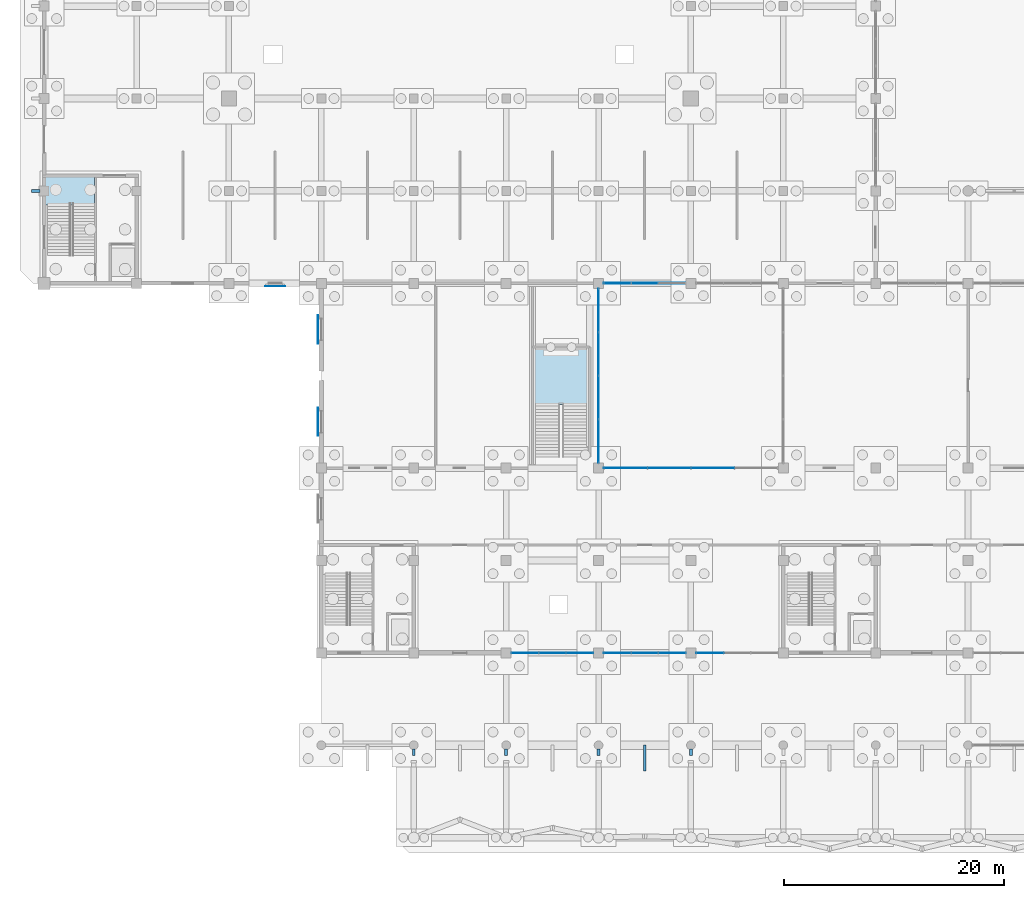
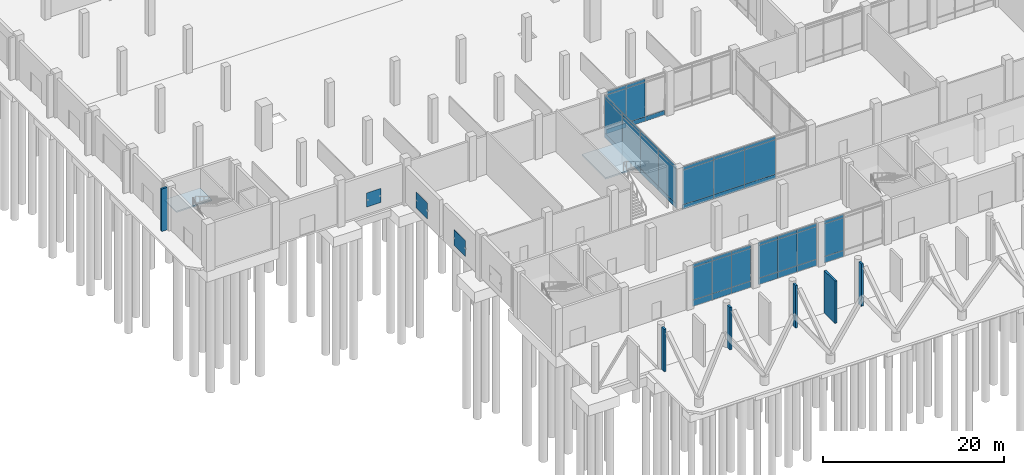
# One storey, part 37 of 72: 58 plates, 2 slabs, 8 elements without a shape of their own.
"""IFC4 building model written with IfcOpenShell, lengths in metres."""

import ifcopenshell
import ifcopenshell.guid

model = None  # the IFC model being written
_history = None  # IfcOwnerHistory: only IFC2X3 demands one
_inside = {}  # id of a spatial element -> (the spatial element, [elements in it])
_under = {}  # id of a project, library or spatial element -> (it, [spatial elements below it])
_declared = {}  # id of a project -> (the project, [libraries it declares])
_typed = {}  # id of a type object -> (the type object, [elements of that type])
_made_of = {}  # id of a material, layer set ... -> (it, [elements and type objects made of it])


def new_model(schema):
    """Start an empty IFC model of exactly this schema.

    Asked for "IFC4X3", IfcOpenShell would pick the latest addendum, in which some entities
    have other attributes; the version numbers below select the first issue.
    IFC2X3 requires an IfcOwnerHistory on every rooted entity: one is made here for all.
    """
    global model, _history
    if schema == "IFC4X3":
        model = ifcopenshell.file(schema_version=(4, 3, 0, 0))
    else:
        model = ifcopenshell.file(schema=schema)
    _inside.clear()
    _under.clear()
    _declared.clear()
    _typed.clear()
    _made_of.clear()
    _history = None
    if model.schema == "IFC2X3":
        org = make("IfcOrganization", Name="unknown")
        user = make(
            "IfcPersonAndOrganization",
            ThePerson=make("IfcPerson", FamilyName="unknown"),
            TheOrganization=org,
        )
        app = make(
            "IfcApplication",
            ApplicationDeveloper=org,
            Version="unknown",
            ApplicationFullName="unknown",
            ApplicationIdentifier="unknown",
        )
        _history = make(
            "IfcOwnerHistory",
            OwningUser=user,
            OwningApplication=app,
            ChangeAction="ADDED",
            CreationDate=0,
        )
    return model


def make(cls, **values):
    """One entity of the class cls with the attributes given. An attribute that is None is left unset."""
    return model.create_entity(
        cls, **{name: value for name, value in values.items() if value is not None}
    )


def rooted(cls, **values):
    """An entity with a GlobalId (a new one), such as an element, a storey or a relation."""
    return make(cls, GlobalId=ifcopenshell.guid.new(), OwnerHistory=_history, **values)


def si_unit(unit_type, name, prefix=None):
    """IfcSIUnit, for example si_unit("LENGTHUNIT", "METRE", prefix="MILLI")."""
    return make("IfcSIUnit", UnitType=unit_type, Prefix=prefix, Name=name)


def assignment(units):
    """IfcUnitAssignment: the units of a project."""
    return None if units is None else make("IfcUnitAssignment", Units=units)


def point(xyz):
    """IfcCartesianPoint."""
    return None if xyz is None else make("IfcCartesianPoint", Coordinates=xyz)


def direction(xyz):
    """IfcDirection."""
    return None if xyz is None else make("IfcDirection", DirectionRatios=xyz)


def frame(location, z_axis=None, x_axis=None):
    """IfcAxis2Placement3D, a coordinate frame: its origin and axes. An axis left out is left unset."""
    return make(
        "IfcAxis2Placement3D",
        Location=point(location),
        Axis=direction(z_axis),
        RefDirection=direction(x_axis),
    )


def frame_2d(location, x_axis=None):
    """IfcAxis2Placement2D, a coordinate frame in the plane: its origin and x axis."""
    return make(
        "IfcAxis2Placement2D", Location=point(location), RefDirection=direction(x_axis)
    )


def origin():
    """The frame at (0, 0, 0) with its axes left unset."""
    return frame((0.0, 0.0, 0.0))


def place(relative_to, where):
    """IfcLocalPlacement: puts the frame where relative to a parent placement (None: the world)."""
    return make(
        "IfcLocalPlacement", PlacementRelTo=relative_to, RelativePlacement=where
    )


def context(
    kind, dimensions, precision=None, world=None, true_north=None, identifier=None
):
    """IfcGeometricRepresentationContext, for example the 3D "Model" context."""
    return make(
        "IfcGeometricRepresentationContext",
        ContextIdentifier=identifier,
        ContextType=kind,
        CoordinateSpaceDimension=dimensions,
        Precision=precision,
        WorldCoordinateSystem=world,
        TrueNorth=true_north,
    )


def subcontext(parent, identifier, kind, view, scale=None):
    """IfcGeometricRepresentationSubContext, for example "Body" below "Model"."""
    return make(
        "IfcGeometricRepresentationSubContext",
        ContextIdentifier=identifier,
        ContextType=kind,
        ParentContext=parent,
        TargetScale=scale,
        TargetView=view,
    )


def project(units=None, contexts=None):
    """IfcProject with its units and contexts."""
    return rooted(
        "IfcProject",
        Name="project",
        RepresentationContexts=contexts,
        UnitsInContext=assignment(units),
    )


def spatial(cls, under=None, at=None, **own):
    """A site, building, storey or space (cls), placed at a placement, below another one or the project."""
    s = rooted(cls, ObjectPlacement=at, **own)
    if under is not None:
        _under.setdefault(under.id(), (under, []))[1].append(s)
    return s


def polyline(points):
    """IfcPolyline through the points."""
    return make("IfcPolyline", Points=[point(p) for p in points])


def profile(cls, at=None, kind="AREA", **sizes):
    """A parametric profile (cls). Its sizes go by their IFC names, for example OverallWidth=200.0."""
    return make(cls, ProfileType=kind, Position=at, **sizes)


def rectangle(**sizes):
    """IfcRectangleProfileDef."""
    return profile("IfcRectangleProfileDef", **sizes)


def outline(outer, holes=None, kind="AREA"):
    """IfcArbitraryClosedProfileDef: a profile drawn as a closed curve; with holes, ...WithVoids."""
    if holes is None:
        return make("IfcArbitraryClosedProfileDef", ProfileType=kind, OuterCurve=outer)
    return make(
        "IfcArbitraryProfileDefWithVoids",
        ProfileType=kind,
        OuterCurve=outer,
        InnerCurves=holes,
    )


def extrude(swept, where, along, depth):
    """IfcExtrudedAreaSolid: the profile swept, set in the frame where, extruded along a direction by depth."""
    return make(
        "IfcExtrudedAreaSolid",
        SweptArea=swept,
        Position=where,
        ExtrudedDirection=direction(along),
        Depth=depth,
    )


def shape(context_of_items, identifier, shape_type, items):
    """IfcShapeRepresentation: the items that make up one representation, for example the "Body"."""
    return make(
        "IfcShapeRepresentation",
        ContextOfItems=context_of_items,
        RepresentationIdentifier=identifier,
        RepresentationType=shape_type,
        Items=items,
    )


def material(Name=None, Category=None):
    """IfcMaterial."""
    return make("IfcMaterial", Name=Name, Category=Category)


def layer(
    of_material, thickness, ventilated=None, Name=None, Category=None, Priority=None
):
    """IfcMaterialLayer: one layer of a wall or slab, of a material (None: an air gap)."""
    return make(
        "IfcMaterialLayer",
        Material=of_material,
        LayerThickness=thickness,
        IsVentilated=ventilated,
        Name=Name,
        Category=Category,
        Priority=Priority,
    )


def layer_set(layers, Name=None):
    """IfcMaterialLayerSet."""
    return make("IfcMaterialLayerSet", MaterialLayers=layers, LayerSetName=Name)


def made_of(thing, what):
    """Note that an element or type object is made of a material, layer set ...; save() writes the relation."""
    if what is not None:
        _made_of.setdefault(what.id(), (what, []))[1].append(thing)
    return thing


def type_object(cls, material=None, **own):
    """A type object (cls), such as IfcWallType, which elements share."""
    return made_of(rooted(cls, **own), material)


def element(
    cls,
    number,
    at=None,
    inside=None,
    cuts=None,
    type_object=None,
    material=None,
    context=None,
    identifier="Body",
    shape_type=None,
    held_by="IfcProductDefinitionShape",
    body=None,
    shapes=None,
    **own,
):
    """One element of the class cls, such as IfcWall. Its Tag is "e" and its number.

    at: its placement. inside: the storey or other place that contains it. cuts: it is an
    opening in that element (IfcRelVoidsElement). A single representation is given by context,
    identifier, shape_type and body (its items); several are given by shapes. held_by: the class
    of the entity that holds the representations. save() writes the other relations.
    """
    e = rooted(cls, Tag="e%d" % number, ObjectPlacement=at, **own)
    if body is not None:
        shapes = [shape(context, identifier, shape_type, body)]
    if shapes is not None:
        e.Representation = make(held_by, Representations=shapes)
    if inside is not None:
        _inside.setdefault(inside.id(), (inside, []))[1].append(e)
    if cuts is not None:
        rooted(
            "IfcRelVoidsElement", RelatingBuildingElement=cuts, RelatedOpeningElement=e
        )
    if type_object is not None:
        _typed.setdefault(type_object.id(), (type_object, []))[1].append(e)
    return made_of(e, material)


def aggregate(whole, parts):
    """IfcRelAggregates: a whole, such as a stair, and the parts it consists of."""
    return rooted("IfcRelAggregates", RelatingObject=whole, RelatedObjects=parts)


def save(model, path):
    """Write the relations noted so far, then the file.

    IfcRelAggregates (storeys below a building ...), IfcRelContainedInSpatialStructure (elements
    in a storey), IfcRelDefinesByType, IfcRelAssociatesMaterial and IfcRelDeclares: one each for
    every whole, place, type object, material and project.
    """
    for whole, parts in _under.values():
        aggregate(whole, parts)
    for where, things in _inside.values():
        rooted(
            "IfcRelContainedInSpatialStructure",
            RelatedElements=things,
            RelatingStructure=where,
        )
    for kind, things in _typed.values():
        rooted("IfcRelDefinesByType", RelatedObjects=things, RelatingType=kind)
    for what, things in _made_of.values():
        rooted("IfcRelAssociatesMaterial", RelatedObjects=things, RelatingMaterial=what)
    for by, libraries in _declared.values():
        rooted("IfcRelDeclares", RelatingContext=by, RelatedDefinitions=libraries)
    model.write(path)


model = new_model("IFC4")

# Units and contexts
model_context = context("Model", 3, precision=1e-05, world=origin(), true_north=direction((0.0, 1.0)))
body_context = subcontext(model_context, "Body", "Model", "MODEL_VIEW")
ifc_project = project(units=[si_unit("LENGTHUNIT", "METRE"), si_unit("AREAUNIT", "SQUARE_METRE"), si_unit("VOLUMEUNIT", "CUBIC_METRE"), si_unit("PLANEANGLEUNIT", "RADIAN"), si_unit("MASSUNIT", "GRAM", prefix="KILO")], contexts=[model_context])

# Site, building, storey
site_placement = place(None, origin())
site = spatial("IfcSite", under=ifc_project, at=site_placement, CompositionType="ELEMENT")
building_placement = place(site_placement, origin())
building = spatial("IfcBuilding", under=site, at=building_placement, Name="Qawsi Khor Wholesale Market", CompositionType="ELEMENT")
storey_placement = place(building_placement, origin())
storey = spatial("IfcBuildingStorey", under=building, at=storey_placement, Name="L00", CompositionType="ELEMENT", Elevation=0.0)

# Stair, slab
ifc_material_1 = material(Name="Concrete C40/50", Category="concrete")
stair_type_1 = type_object("IfcStairType", Name="Atrium Feature Stair 6000 Rise", PredefinedType="HALF_TURN_STAIR", material=ifc_material_1)
stair_1_placement = place(storey_placement, origin())
stair_1 = element("IfcStair", 1, at=stair_1_placement, inside=storey, type_object=stair_type_1, Name="Atrium feature stair W L00", PredefinedType="HALF_TURN_STAIR")
ifc_layer_1 = layer(ifc_material_1, 0.199951171875, Name="Concrete C40/50")
ifc_layer_set_1 = layer_set([ifc_layer_1], Name="Concrete C40/50")
slab_type_1 = type_object("IfcSlabType", Name="Atrium Feature Landing Slab 200 C40/50", PredefinedType="LANDING", material=ifc_layer_set_1)
slab_1_placement = place(storey_placement, frame((0.0, 0.0, 2.800048828125)))
slab_1 = element("IfcSlab", 2, at=slab_1_placement, type_object=slab_type_1, Name="ST-AW-0 landing 1", PredefinedType="LANDING", context=body_context, shape_type="SweptSolid", body=[
    extrude(outline(polyline([(44.419921875, 30.969970703125), (49.580078125, 30.969970703125), (49.580078125, 36.219970703125), (44.419921875, 36.219970703125), (44.419921875, 30.969970703125)])), origin(), (0.0, 0.0, 1.0), 0.199951171875),
])
aggregate(stair_1, [slab_1])

# Curtain wall, plates
ifc_material_2 = material(Name="Aluminium Anodised Bronze", Category="aluminium")
ifc_layer_2 = layer(ifc_material_2, 0.159912109375, Name="Aluminium Anodised Bronze")
ifc_layer_set_2 = layer_set([ifc_layer_2], Name="Aluminium Anodised Bronze")
curtain_wall_type_1 = type_object("IfcCurtainWallType", Name="Boulevard Arcade Glazed Curtain Wall CW-01", PredefinedType="NOTDEFINED", material=ifc_layer_set_2)
curtain_wall_1_placement = place(storey_placement, origin())
curtain_wall_1 = element("IfcCurtainWall", 3, at=curtain_wall_1_placement, inside=storey, type_object=curtain_wall_type_1, Name="Curtain wall CW-CW-01-L00-001", PredefinedType="NOTDEFINED")
ifc_material_3 = material(Name="Anodised Aluminium Spandrel", Category="aluminium")
ifc_layer_3 = layer(ifc_material_3, 0.054931640625, Name="Anodised Aluminium Spandrel")
ifc_layer_set_3 = layer_set([ifc_layer_3], Name="Anodised Aluminium Spandrel")
plate_type_1 = type_object("IfcPlateType", Name="Insulated Spandrel Panel CW-01 55mm", PredefinedType="CURTAIN_PANEL", material=ifc_layer_set_3)
plate_1_placement = place(storey_placement, frame((42.492431640625, 8.39990234375, 0.0048828125), z_axis=(0.0, 0.0, 1.0), x_axis=(1.0, 0.0, 0.0)))
plate_1 = element("IfcPlate", 4, at=plate_1_placement, type_object=plate_type_1, Name="Curtain panel CW-CW-01-L00-001-P0_00", PredefinedType="CURTAIN_PANEL", context=body_context, shape_type="SweptSolid", body=[
    extrude(rectangle(XDim=2.4716796875, YDim=0.054931640625, at=frame_2d((1.23583984375, 0.0))), origin(), (0.0, 0.0, 1.0), 0.840087890625),
])
plate_2_placement = place(storey_placement, frame((44.964111328125, 8.39990234375, 0.0048828125), z_axis=(0.0, 0.0, 1.0), x_axis=(1.0, 0.0, 0.0)))
plate_2 = element("IfcPlate", 5, at=plate_2_placement, type_object=plate_type_1, Name="Curtain panel CW-CW-01-L00-001-P0_01", PredefinedType="CURTAIN_PANEL", context=body_context, shape_type="SweptSolid", body=[
    extrude(rectangle(XDim=2.4716796875, YDim=0.054931640625, at=frame_2d((1.23583984375, 0.0))), origin(), (0.0, 0.0, 1.0), 0.840087890625),
])
plate_3_placement = place(storey_placement, frame((47.435791015625, 8.39990234375, 0.0048828125), z_axis=(0.0, 0.0, 1.0), x_axis=(1.0, 0.0, 0.0)))
plate_3 = element("IfcPlate", 6, at=plate_3_placement, type_object=plate_type_1, Name="Curtain panel CW-CW-01-L00-001-P0_02", PredefinedType="CURTAIN_PANEL", context=body_context, shape_type="SweptSolid", body=[
    extrude(rectangle(XDim=2.4716796875, YDim=0.054931640625, at=frame_2d((1.23583984375, 0.0))), origin(), (0.0, 0.0, 1.0), 0.840087890625),
])

curtain_wall_2_placement = place(storey_placement, origin())
curtain_wall_2 = element("IfcCurtainWall", 7, at=curtain_wall_2_placement, inside=storey, type_object=curtain_wall_type_1, Name="Curtain wall CW-CW-01-L00-002", PredefinedType="NOTDEFINED")
plate_4_placement = place(storey_placement, frame((50.892578125, 8.39990234375, 0.0048828125), z_axis=(0.0, 0.0, 1.0), x_axis=(1.0, 0.0, 0.0)))
plate_4 = element("IfcPlate", 8, at=plate_4_placement, type_object=plate_type_1, Name="Curtain panel CW-CW-01-L00-002-P0_00", PredefinedType="CURTAIN_PANEL", context=body_context, shape_type="SweptSolid", body=[
    extrude(rectangle(XDim=2.4716796875, YDim=0.054931640625, at=frame_2d((1.23583984375, 0.0))), origin(), (0.0, 0.0, 1.0), 0.840087890625),
])
plate_5_placement = place(storey_placement, frame((53.3642578125, 8.39990234375, 0.0048828125), z_axis=(0.0, 0.0, 1.0), x_axis=(1.0, 0.0, 0.0)))
plate_5 = element("IfcPlate", 9, at=plate_5_placement, type_object=plate_type_1, Name="Curtain panel CW-CW-01-L00-002-P0_01", PredefinedType="CURTAIN_PANEL", context=body_context, shape_type="SweptSolid", body=[
    extrude(rectangle(XDim=2.471435546875, YDim=0.054931640625, at=frame_2d((1.23583984375, 0.0))), origin(), (0.0, 0.0, 1.0), 0.840087890625),
])
plate_6_placement = place(storey_placement, frame((55.835693359375, 8.39990234375, 0.0048828125), z_axis=(0.0, 0.0, 1.0), x_axis=(1.0, 0.0, 0.0)))
plate_6 = element("IfcPlate", 10, at=plate_6_placement, type_object=plate_type_1, Name="Curtain panel CW-CW-01-L00-002-P0_02", PredefinedType="CURTAIN_PANEL", context=body_context, shape_type="SweptSolid", body=[
    extrude(rectangle(XDim=2.471923828125, YDim=0.054931640625, at=frame_2d((1.23583984375, 0.0))), origin(), (0.0, 0.0, 1.0), 0.840087890625),
])

# Curtain wall, plate
curtain_wall_3_placement = place(storey_placement, origin())
curtain_wall_3 = element("IfcCurtainWall", 11, at=curtain_wall_3_placement, inside=storey, type_object=curtain_wall_type_1, Name="Curtain wall CW-CW-01-L00-003", PredefinedType="NOTDEFINED")
plate_7_placement = place(storey_placement, frame((59.29248046875, 8.39990234375, 0.0048828125), z_axis=(0.0, 0.0, 1.0), x_axis=(1.0, 0.0, 0.0)))
plate_7 = element("IfcPlate", 12, at=plate_7_placement, type_object=plate_type_1, Name="Curtain panel CW-CW-01-L00-003-P0_00", PredefinedType="CURTAIN_PANEL", context=body_context, shape_type="SweptSolid", body=[
    extrude(rectangle(XDim=2.4716796875, YDim=0.054931640625, at=frame_2d((1.23583984375, 0.0))), origin(), (0.0, 0.0, 1.0), 0.840087890625),
])

# Curtain wall, plates
ifc_layer_4 = layer(ifc_material_2, 0.179931640625, Name="Aluminium Anodised Bronze")
ifc_layer_set_4 = layer_set([ifc_layer_4], Name="Aluminium Anodised Bronze")
curtain_wall_type_2 = type_object("IfcCurtainWallType", Name="Atrium Full-Height Curtain Wall CW-02", PredefinedType="NOTDEFINED", material=ifc_layer_set_4)
curtain_wall_4_placement = place(storey_placement, origin())
curtain_wall_4 = element("IfcCurtainWall", 13, at=curtain_wall_4_placement, inside=storey, type_object=curtain_wall_type_2, Name="Curtain wall CW-CW-02-L00-011", PredefinedType="NOTDEFINED")
ifc_layer_5 = layer(ifc_material_3, 0.06494140625, Name="Anodised Aluminium Spandrel")
ifc_layer_set_5 = layer_set([ifc_layer_5], Name="Anodised Aluminium Spandrel")
plate_type_2 = type_object("IfcPlateType", Name="Insulated Spandrel Panel CW-02 65mm", PredefinedType="CURTAIN_PANEL", material=ifc_layer_set_5)
plate_8_placement = place(storey_placement, frame((50.89501953125, 25.199951171875, 0.0048828125), z_axis=(0.0, 0.0, 1.0), x_axis=(1.0, 0.0, 0.0)))
plate_8 = element("IfcPlate", 14, at=plate_8_placement, type_object=plate_type_2, Name="Curtain panel CW-CW-02-L00-011-P0_00", PredefinedType="CURTAIN_PANEL", context=body_context, shape_type="SweptSolid", body=[
    extrude(rectangle(XDim=3.952392578125, YDim=0.06494140625, at=frame_2d((1.97607421875, 0.0))), origin(), (0.0, 0.0, 1.0), 0.590087890625),
])
plate_9_placement = place(storey_placement, frame((54.847412109375, 25.199951171875, 0.0048828125), z_axis=(0.0, 0.0, 1.0), x_axis=(1.0, 0.0, 0.0)))
plate_9 = element("IfcPlate", 15, at=plate_9_placement, type_object=plate_type_2, Name="Curtain panel CW-CW-02-L00-011-P0_01", PredefinedType="CURTAIN_PANEL", context=body_context, shape_type="SweptSolid", body=[
    extrude(rectangle(XDim=3.95263671875, YDim=0.06494140625, at=frame_2d((1.976318359375, 0.0))), origin(), (0.0, 0.0, 1.0), 0.590087890625),
])
plate_10_placement = place(storey_placement, frame((58.800048828125, 25.199951171875, 0.0048828125), z_axis=(0.0, 0.0, 1.0), x_axis=(1.0, 0.0, 0.0)))
plate_10 = element("IfcPlate", 16, at=plate_10_placement, type_object=plate_type_2, Name="Curtain panel CW-CW-02-L00-011-P0_02", PredefinedType="CURTAIN_PANEL", context=body_context, shape_type="SweptSolid", body=[
    extrude(rectangle(XDim=3.952392578125, YDim=0.06494140625, at=frame_2d((1.97607421875, 0.0))), origin(), (0.0, 0.0, 1.0), 0.590087890625),
])

curtain_wall_5_placement = place(storey_placement, origin())
curtain_wall_5 = element("IfcCurtainWall", 17, at=curtain_wall_5_placement, inside=storey, type_object=curtain_wall_type_2, Name="Curtain wall CW-CW-02-L00-012", PredefinedType="NOTDEFINED")
plate_11_placement = place(storey_placement, frame((50.89501953125, 42.0, 0.0048828125), z_axis=(0.0, 0.0, 1.0), x_axis=(1.0, 0.0, 0.0)))
plate_11 = element("IfcPlate", 18, at=plate_11_placement, type_object=plate_type_2, Name="Curtain panel CW-CW-02-L00-012-P0_00", PredefinedType="CURTAIN_PANEL", context=body_context, shape_type="SweptSolid", body=[
    extrude(rectangle(XDim=2.469970703125, YDim=0.06494140625, at=frame_2d((1.23486328125, 0.0))), origin(), (0.0, 0.0, 1.0), 0.590087890625),
])
plate_12_placement = place(storey_placement, frame((53.364990234375, 42.0, 0.0048828125), z_axis=(0.0, 0.0, 1.0), x_axis=(1.0, 0.0, 0.0)))
plate_12 = element("IfcPlate", 19, at=plate_12_placement, type_object=plate_type_2, Name="Curtain panel CW-CW-02-L00-012-P0_01", PredefinedType="CURTAIN_PANEL", context=body_context, shape_type="SweptSolid", body=[
    extrude(rectangle(XDim=2.469970703125, YDim=0.06494140625, at=frame_2d((1.23486328125, 0.0))), origin(), (0.0, 0.0, 1.0), 0.590087890625),
])
plate_13_placement = place(storey_placement, frame((55.8349609375, 42.0, 0.0048828125), z_axis=(0.0, 0.0, 1.0), x_axis=(1.0, 0.0, 0.0)))
plate_13 = element("IfcPlate", 20, at=plate_13_placement, type_object=plate_type_2, Name="Curtain panel CW-CW-02-L00-012-P0_02", PredefinedType="CURTAIN_PANEL", context=body_context, shape_type="SweptSolid", body=[
    extrude(rectangle(XDim=2.469970703125, YDim=0.06494140625, at=frame_2d((1.23486328125, 0.0))), origin(), (0.0, 0.0, 1.0), 0.590087890625),
])

curtain_wall_6_placement = place(storey_placement, origin())
curtain_wall_6 = element("IfcCurtainWall", 21, at=curtain_wall_6_placement, inside=storey, type_object=curtain_wall_type_2, Name="Curtain wall CW-CW-02-L00-014", PredefinedType="NOTDEFINED")
plate_14_placement = place(storey_placement, frame((50.39990234375, 25.695068359375, 0.0048828125), z_axis=(0.0, 0.0, 1.0), x_axis=(0.0, 1.0, 0.0)))
plate_14 = element("IfcPlate", 22, at=plate_14_placement, type_object=plate_type_2, Name="Curtain panel CW-CW-02-L00-014-P0_00", PredefinedType="CURTAIN_PANEL", context=body_context, shape_type="SweptSolid", body=[
    extrude(rectangle(XDim=3.952392578125, YDim=0.06494140625, at=frame_2d((1.97607421875, 0.0))), origin(), (0.0, 0.0, 1.0), 0.590087890625),
])
plate_15_placement = place(storey_placement, frame((50.39990234375, 29.6474609375, 0.0048828125), z_axis=(0.0, 0.0, 1.0), x_axis=(0.0, 1.0, 0.0)))
plate_15 = element("IfcPlate", 23, at=plate_15_placement, type_object=plate_type_2, Name="Curtain panel CW-CW-02-L00-014-P0_01", PredefinedType="CURTAIN_PANEL", context=body_context, shape_type="SweptSolid", body=[
    extrude(rectangle(XDim=3.95263671875, YDim=0.06494140625, at=frame_2d((1.976318359375, 0.0))), origin(), (0.0, 0.0, 1.0), 0.590087890625),
])
plate_16_placement = place(storey_placement, frame((50.39990234375, 33.60009765625, 0.0048828125), z_axis=(0.0, 0.0, 1.0), x_axis=(0.0, 1.0, 0.0)))
plate_16 = element("IfcPlate", 24, at=plate_16_placement, type_object=plate_type_2, Name="Curtain panel CW-CW-02-L00-014-P0_02", PredefinedType="CURTAIN_PANEL", context=body_context, shape_type="SweptSolid", body=[
    extrude(rectangle(XDim=3.952392578125, YDim=0.06494140625, at=frame_2d((1.97607421875, 0.0))), origin(), (0.0, 0.0, 1.0), 0.590087890625),
])
plate_17_placement = place(storey_placement, frame((50.39990234375, 37.552490234375, 0.0048828125), z_axis=(0.0, 0.0, 1.0), x_axis=(0.0, 1.0, 0.0)))
plate_17 = element("IfcPlate", 25, at=plate_17_placement, type_object=plate_type_2, Name="Curtain panel CW-CW-02-L00-014-P0_03", PredefinedType="CURTAIN_PANEL", context=body_context, shape_type="SweptSolid", body=[
    extrude(rectangle(XDim=3.952392578125, YDim=0.06494140625, at=frame_2d((1.97607421875, 0.0))), origin(), (0.0, 0.0, 1.0), 0.590087890625),
])

# Plates
ifc_material_4 = material(Name="Perforated Bronze-Anodised Aluminium", Category="aluminium")
ifc_layer_6 = layer(ifc_material_4, 0.014892578125, Name="Perforated Bronze-Anodised Aluminium")
ifc_layer_set_6 = layer_set([ifc_layer_6], Name="Perforated Bronze-Anodised Aluminium")
plate_type_3 = type_object("IfcPlateType", Name="Perforated Bronze Mashrabiya Screen 15mm", PredefinedType="SHEET", material=ifc_layer_set_6)
plate_18_placement = place(storey_placement, frame((21.89990234375, 41.72509765625, 1.050048828125), z_axis=(0.0, 0.0, 1.0), x_axis=(-1.0, 0.0, 0.0)))
element("IfcPlate", 26, at=plate_18_placement, inside=storey, type_object=plate_type_3, Name="Solar mashrabiya screen 068", PredefinedType="SHEET", context=body_context, shape_type="SweptSolid", body=[
    extrude(rectangle(XDim=1.7998046875, YDim=0.014892578125, at=frame_2d((0.89990234375, 0.0))), origin(), (0.0, 0.0, 1.0), 1.89990234375),
])
ifc_layer_7 = layer(ifc_material_4, 0.02001953125, Name="Perforated Bronze-Anodised Aluminium")
ifc_layer_set_7 = layer_set([ifc_layer_7], Name="Perforated Bronze-Anodised Aluminium")
plate_type_4 = type_object("IfcPlateType", Name="Perforated Bronze Mashrabiya Screen 20mm", PredefinedType="SHEET", material=ifc_layer_set_7)
for number, where, z_axis, x_axis, name in (
    (27, (24.885009765625, 28.125, 0.89990234375), (0.0, 0.0, 1.0), (0.0, 1.0, 0.0), "Solar mashrabiya screen 054"),
    (28, (24.885009765625, 36.52490234375, 0.89990234375), (0.0, 0.0, 1.0), (0.0, 1.0, 0.0), "Solar mashrabiya screen 055"),
):
    element("IfcPlate", number, at=place(storey_placement, frame(where, z_axis=z_axis, x_axis=x_axis)), inside=storey, type_object=plate_type_4, Name=name, PredefinedType="SHEET", context=body_context, shape_type="SweptSolid", body=[
        extrude(rectangle(XDim=2.550048828125, YDim=0.02001953125, at=frame_2d((1.27490234375, 0.0))), origin(), (0.0, 0.0, 1.0), 2.150146484375),
    ])
ifc_layer_8 = layer(ifc_material_1, 0.260009765625, Name="Concrete C40/50")
ifc_layer_set_8 = layer_set([ifc_layer_8], Name="Concrete C40/50")
plate_type_5 = type_object("IfcPlateType", Name="Sculpted Concrete Solar Buttress Fin 260", PredefinedType="SHEET", material=ifc_layer_set_8)
for number, where, z_axis, x_axis, name in (
    (29, (33.60009765625, -0.949951171875, 0.0), (0.0, 0.0, 1.0), (0.0, 1.0, 0.0), "Boulevard concrete solar buttress fin L00-02"),
    (30, (42.0, -0.949951171875, 0.0), (0.0, 0.0, 1.0), (0.0, 1.0, 0.0), "Boulevard concrete solar buttress fin L00-04"),
    (31, (50.39990234375, -0.949951171875, 0.0), (0.0, 0.0, 1.0), (0.0, 1.0, 0.0), "Boulevard concrete solar buttress fin L00-06"),
):
    element("IfcPlate", number, at=place(storey_placement, frame(where, z_axis=z_axis, x_axis=x_axis)), inside=storey, type_object=plate_type_5, Name=name, PredefinedType="SHEET", context=body_context, shape_type="SweptSolid", body=[
        extrude(rectangle(XDim=0.58984375, YDim=0.260009765625, at=frame_2d((0.294921875, 0.0))), origin(), (0.0, 0.0, 1.0), 5.719970703125),
    ])
plate_19_placement = place(storey_placement, frame((54.60009765625, -2.35009765625, 0.0), z_axis=(0.0, 0.0, 1.0), x_axis=(0.0, 1.0, 0.0)))
element("IfcPlate", 32, at=plate_19_placement, inside=storey, type_object=plate_type_5, Name="Boulevard concrete solar buttress fin L00-07", PredefinedType="SHEET", context=body_context, shape_type="SweptSolid", body=[
    extrude(rectangle(XDim=2.3701171875, YDim=0.260009765625, at=frame_2d((1.18505859375, 0.0))), origin(), (0.0, 0.0, 1.0), 5.719970703125),
])
plate_20_placement = place(storey_placement, frame((58.800048828125, -0.949951171875, 0.0), z_axis=(0.0, 0.0, 1.0), x_axis=(0.0, 1.0, 0.0)))
element("IfcPlate", 33, at=plate_20_placement, inside=storey, type_object=plate_type_5, Name="Boulevard concrete solar buttress fin L00-08", PredefinedType="SHEET", context=body_context, shape_type="SweptSolid", body=[
    extrude(rectangle(XDim=0.58984375, YDim=0.260009765625, at=frame_2d((0.294921875, 0.0))), origin(), (0.0, 0.0, 1.0), 5.719970703125),
])
plate_21_placement = place(storey_placement, frame((-1.14990234375, 50.39990234375, 0.0), z_axis=(0.0, 0.0, 1.0), x_axis=(1.0, 0.0, 0.0)))
element("IfcPlate", 34, at=plate_21_placement, inside=storey, type_object=plate_type_5, Name="West Hall Concrete Buttress Rib L00-6", PredefinedType="SHEET", context=body_context, shape_type="SweptSolid", body=[
    extrude(rectangle(XDim=0.760009765625, YDim=0.260009765625, at=frame_2d((0.3798828125, 0.0))), origin(), (0.0, 0.0, 1.0), 5.72998046875),
])

# Plate
ifc_material_5 = material(Name="Tempered Low-E Solar Glass", Category="glass")
ifc_layer_9 = layer(ifc_material_5, 0.02392578125, Name="Tempered Low-E Solar Glass")
ifc_layer_set_9 = layer_set([ifc_layer_9], Name="Tempered Low-E Solar Glass")
plate_type_6 = type_object("IfcPlateType", Name="Solar Double-Glazed Unit CW-01 24mm", PredefinedType="CURTAIN_PANEL", material=ifc_layer_set_9)
plate_22_placement = place(storey_placement, frame((42.492431640625, 8.39990234375, 0.85498046875), z_axis=(0.0, 0.0, 1.0), x_axis=(1.0, 0.0, 0.0)))
plate_22 = element("IfcPlate", 35, at=plate_22_placement, type_object=plate_type_6, Name="Curtain panel CW-CW-01-L00-001-P1_00", PredefinedType="CURTAIN_PANEL", context=body_context, shape_type="SweptSolid", body=[
    extrude(rectangle(XDim=2.4716796875, YDim=0.02392578125, at=frame_2d((1.23583984375, 0.0))), origin(), (0.0, 0.0, 1.0), 4.409912109375),
])

plate_23_placement = place(storey_placement, frame((44.964111328125, 8.39990234375, 0.85498046875), z_axis=(0.0, 0.0, 1.0), x_axis=(1.0, 0.0, 0.0)))
plate_23 = element("IfcPlate", 36, at=plate_23_placement, type_object=plate_type_6, Name="Curtain panel CW-CW-01-L00-001-P1_01", PredefinedType="CURTAIN_PANEL", context=body_context, shape_type="SweptSolid", body=[
    extrude(rectangle(XDim=2.4716796875, YDim=0.02392578125, at=frame_2d((1.23583984375, 0.0))), origin(), (0.0, 0.0, 1.0), 4.409912109375),
])

plate_24_placement = place(storey_placement, frame((47.435791015625, 8.39990234375, 0.85498046875), z_axis=(0.0, 0.0, 1.0), x_axis=(1.0, 0.0, 0.0)))
plate_24 = element("IfcPlate", 37, at=plate_24_placement, type_object=plate_type_6, Name="Curtain panel CW-CW-01-L00-001-P1_02", PredefinedType="CURTAIN_PANEL", context=body_context, shape_type="SweptSolid", body=[
    extrude(rectangle(XDim=2.4716796875, YDim=0.02392578125, at=frame_2d((1.23583984375, 0.0))), origin(), (0.0, 0.0, 1.0), 4.409912109375),
])

plate_25_placement = place(storey_placement, frame((42.492431640625, 8.39990234375, 5.27490234375), z_axis=(0.0, 0.0, 1.0), x_axis=(1.0, 0.0, 0.0)))
plate_25 = element("IfcPlate", 38, at=plate_25_placement, type_object=plate_type_6, Name="Curtain panel CW-CW-01-L00-001-P2_00", PredefinedType="CURTAIN_PANEL", context=body_context, shape_type="SweptSolid", body=[
    extrude(rectangle(XDim=2.4716796875, YDim=0.02392578125, at=frame_2d((1.23583984375, 0.0))), origin(), (0.0, 0.0, 1.0), 0.440185546875),
])

plate_26_placement = place(storey_placement, frame((44.964111328125, 8.39990234375, 5.27490234375), z_axis=(0.0, 0.0, 1.0), x_axis=(1.0, 0.0, 0.0)))
plate_26 = element("IfcPlate", 39, at=plate_26_placement, type_object=plate_type_6, Name="Curtain panel CW-CW-01-L00-001-P2_01", PredefinedType="CURTAIN_PANEL", context=body_context, shape_type="SweptSolid", body=[
    extrude(rectangle(XDim=2.4716796875, YDim=0.02392578125, at=frame_2d((1.23583984375, 0.0))), origin(), (0.0, 0.0, 1.0), 0.440185546875),
])

plate_27_placement = place(storey_placement, frame((47.435791015625, 8.39990234375, 5.27490234375), z_axis=(0.0, 0.0, 1.0), x_axis=(1.0, 0.0, 0.0)))
plate_27 = element("IfcPlate", 40, at=plate_27_placement, type_object=plate_type_6, Name="Curtain panel CW-CW-01-L00-001-P2_02", PredefinedType="CURTAIN_PANEL", context=body_context, shape_type="SweptSolid", body=[
    extrude(rectangle(XDim=2.4716796875, YDim=0.02392578125, at=frame_2d((1.23583984375, 0.0))), origin(), (0.0, 0.0, 1.0), 0.440185546875),
])

aggregate(curtain_wall_1, [plate_1, plate_2, plate_3, plate_22, plate_23, plate_24, plate_25, plate_26, plate_27])

plate_28_placement = place(storey_placement, frame((50.892578125, 8.39990234375, 0.85498046875), z_axis=(0.0, 0.0, 1.0), x_axis=(1.0, 0.0, 0.0)))
plate_28 = element("IfcPlate", 41, at=plate_28_placement, type_object=plate_type_6, Name="Curtain panel CW-CW-01-L00-002-P1_00", PredefinedType="CURTAIN_PANEL", context=body_context, shape_type="SweptSolid", body=[
    extrude(rectangle(XDim=2.4716796875, YDim=0.02392578125, at=frame_2d((1.23583984375, 0.0))), origin(), (0.0, 0.0, 1.0), 4.409912109375),
])

plate_29_placement = place(storey_placement, frame((53.3642578125, 8.39990234375, 0.85498046875), z_axis=(0.0, 0.0, 1.0), x_axis=(1.0, 0.0, 0.0)))
plate_29 = element("IfcPlate", 42, at=plate_29_placement, type_object=plate_type_6, Name="Curtain panel CW-CW-01-L00-002-P1_01", PredefinedType="CURTAIN_PANEL", context=body_context, shape_type="SweptSolid", body=[
    extrude(rectangle(XDim=2.471435546875, YDim=0.02392578125, at=frame_2d((1.23583984375, 0.0))), origin(), (0.0, 0.0, 1.0), 4.409912109375),
])

plate_30_placement = place(storey_placement, frame((55.835693359375, 8.39990234375, 0.85498046875), z_axis=(0.0, 0.0, 1.0), x_axis=(1.0, 0.0, 0.0)))
plate_30 = element("IfcPlate", 43, at=plate_30_placement, type_object=plate_type_6, Name="Curtain panel CW-CW-01-L00-002-P1_02", PredefinedType="CURTAIN_PANEL", context=body_context, shape_type="SweptSolid", body=[
    extrude(rectangle(XDim=2.471923828125, YDim=0.02392578125, at=frame_2d((1.23583984375, 0.0))), origin(), (0.0, 0.0, 1.0), 4.409912109375),
])

plate_31_placement = place(storey_placement, frame((50.892578125, 8.39990234375, 5.27490234375), z_axis=(0.0, 0.0, 1.0), x_axis=(1.0, 0.0, 0.0)))
plate_31 = element("IfcPlate", 44, at=plate_31_placement, type_object=plate_type_6, Name="Curtain panel CW-CW-01-L00-002-P2_00", PredefinedType="CURTAIN_PANEL", context=body_context, shape_type="SweptSolid", body=[
    extrude(rectangle(XDim=2.4716796875, YDim=0.02392578125, at=frame_2d((1.23583984375, 0.0))), origin(), (0.0, 0.0, 1.0), 0.440185546875),
])

plate_32_placement = place(storey_placement, frame((53.3642578125, 8.39990234375, 5.27490234375), z_axis=(0.0, 0.0, 1.0), x_axis=(1.0, 0.0, 0.0)))
plate_32 = element("IfcPlate", 45, at=plate_32_placement, type_object=plate_type_6, Name="Curtain panel CW-CW-01-L00-002-P2_01", PredefinedType="CURTAIN_PANEL", context=body_context, shape_type="SweptSolid", body=[
    extrude(rectangle(XDim=2.471435546875, YDim=0.02392578125, at=frame_2d((1.23583984375, 0.0))), origin(), (0.0, 0.0, 1.0), 0.440185546875),
])

plate_33_placement = place(storey_placement, frame((55.835693359375, 8.39990234375, 5.27490234375), z_axis=(0.0, 0.0, 1.0), x_axis=(1.0, 0.0, 0.0)))
plate_33 = element("IfcPlate", 46, at=plate_33_placement, type_object=plate_type_6, Name="Curtain panel CW-CW-01-L00-002-P2_02", PredefinedType="CURTAIN_PANEL", context=body_context, shape_type="SweptSolid", body=[
    extrude(rectangle(XDim=2.471923828125, YDim=0.02392578125, at=frame_2d((1.23583984375, 0.0))), origin(), (0.0, 0.0, 1.0), 0.440185546875),
])

aggregate(curtain_wall_2, [plate_4, plate_5, plate_6, plate_28, plate_29, plate_30, plate_31, plate_32, plate_33])

plate_34_placement = place(storey_placement, frame((59.29248046875, 8.39990234375, 0.85498046875), z_axis=(0.0, 0.0, 1.0), x_axis=(1.0, 0.0, 0.0)))
plate_34 = element("IfcPlate", 47, at=plate_34_placement, type_object=plate_type_6, Name="Curtain panel CW-CW-01-L00-003-P1_00", PredefinedType="CURTAIN_PANEL", context=body_context, shape_type="SweptSolid", body=[
    extrude(rectangle(XDim=2.4716796875, YDim=0.02392578125, at=frame_2d((1.23583984375, 0.0))), origin(), (0.0, 0.0, 1.0), 4.409912109375),
])

plate_35_placement = place(storey_placement, frame((59.29248046875, 8.39990234375, 5.27490234375), z_axis=(0.0, 0.0, 1.0), x_axis=(1.0, 0.0, 0.0)))
plate_35 = element("IfcPlate", 48, at=plate_35_placement, type_object=plate_type_6, Name="Curtain panel CW-CW-01-L00-003-P2_00", PredefinedType="CURTAIN_PANEL", context=body_context, shape_type="SweptSolid", body=[
    extrude(rectangle(XDim=2.4716796875, YDim=0.02392578125, at=frame_2d((1.23583984375, 0.0))), origin(), (0.0, 0.0, 1.0), 0.440185546875),
])

aggregate(curtain_wall_3, [plate_7, plate_34, plate_35])

ifc_layer_10 = layer(ifc_material_5, 0.031982421875, Name="Tempered Low-E Solar Glass")
ifc_layer_set_10 = layer_set([ifc_layer_10], Name="Tempered Low-E Solar Glass")
plate_type_7 = type_object("IfcPlateType", Name="Solar Double-Glazed Unit CW-02 32mm", PredefinedType="CURTAIN_PANEL", material=ifc_layer_set_10)
plate_36_placement = place(storey_placement, frame((50.89501953125, 25.199951171875, 0.60498046875), z_axis=(0.0, 0.0, 1.0), x_axis=(1.0, 0.0, 0.0)))
plate_36 = element("IfcPlate", 49, at=plate_36_placement, type_object=plate_type_7, Name="Curtain panel CW-CW-02-L00-011-P1_00", PredefinedType="CURTAIN_PANEL", context=body_context, shape_type="SweptSolid", body=[
    extrude(rectangle(XDim=3.952392578125, YDim=0.031982421875, at=frame_2d((1.97607421875, 0.0))), origin(), (0.0, 0.0, 1.0), 4.659912109375),
])

plate_37_placement = place(storey_placement, frame((54.847412109375, 25.199951171875, 0.60498046875), z_axis=(0.0, 0.0, 1.0), x_axis=(1.0, 0.0, 0.0)))
plate_37 = element("IfcPlate", 50, at=plate_37_placement, type_object=plate_type_7, Name="Curtain panel CW-CW-02-L00-011-P1_01", PredefinedType="CURTAIN_PANEL", context=body_context, shape_type="SweptSolid", body=[
    extrude(rectangle(XDim=3.95263671875, YDim=0.031982421875, at=frame_2d((1.976318359375, 0.0))), origin(), (0.0, 0.0, 1.0), 4.659912109375),
])

plate_38_placement = place(storey_placement, frame((58.800048828125, 25.199951171875, 0.60498046875), z_axis=(0.0, 0.0, 1.0), x_axis=(1.0, 0.0, 0.0)))
plate_38 = element("IfcPlate", 51, at=plate_38_placement, type_object=plate_type_7, Name="Curtain panel CW-CW-02-L00-011-P1_02", PredefinedType="CURTAIN_PANEL", context=body_context, shape_type="SweptSolid", body=[
    extrude(rectangle(XDim=3.952392578125, YDim=0.031982421875, at=frame_2d((1.97607421875, 0.0))), origin(), (0.0, 0.0, 1.0), 4.659912109375),
])

plate_39_placement = place(storey_placement, frame((50.89501953125, 25.199951171875, 5.27490234375), z_axis=(0.0, 0.0, 1.0), x_axis=(1.0, 0.0, 0.0)))
plate_39 = element("IfcPlate", 52, at=plate_39_placement, type_object=plate_type_7, Name="Curtain panel CW-CW-02-L00-011-P2_00", PredefinedType="CURTAIN_PANEL", context=body_context, shape_type="SweptSolid", body=[
    extrude(rectangle(XDim=3.952392578125, YDim=0.031982421875, at=frame_2d((1.97607421875, 0.0))), origin(), (0.0, 0.0, 1.0), 0.440185546875),
])

plate_40_placement = place(storey_placement, frame((54.847412109375, 25.199951171875, 5.27490234375), z_axis=(0.0, 0.0, 1.0), x_axis=(1.0, 0.0, 0.0)))
plate_40 = element("IfcPlate", 53, at=plate_40_placement, type_object=plate_type_7, Name="Curtain panel CW-CW-02-L00-011-P2_01", PredefinedType="CURTAIN_PANEL", context=body_context, shape_type="SweptSolid", body=[
    extrude(rectangle(XDim=3.95263671875, YDim=0.031982421875, at=frame_2d((1.976318359375, 0.0))), origin(), (0.0, 0.0, 1.0), 0.440185546875),
])

plate_41_placement = place(storey_placement, frame((58.800048828125, 25.199951171875, 5.27490234375), z_axis=(0.0, 0.0, 1.0), x_axis=(1.0, 0.0, 0.0)))
plate_41 = element("IfcPlate", 54, at=plate_41_placement, type_object=plate_type_7, Name="Curtain panel CW-CW-02-L00-011-P2_02", PredefinedType="CURTAIN_PANEL", context=body_context, shape_type="SweptSolid", body=[
    extrude(rectangle(XDim=3.952392578125, YDim=0.031982421875, at=frame_2d((1.97607421875, 0.0))), origin(), (0.0, 0.0, 1.0), 0.440185546875),
])

aggregate(curtain_wall_4, [plate_8, plate_9, plate_10, plate_36, plate_37, plate_38, plate_39, plate_40, plate_41])

plate_42_placement = place(storey_placement, frame((50.89501953125, 42.0, 0.60498046875), z_axis=(0.0, 0.0, 1.0), x_axis=(1.0, 0.0, 0.0)))
plate_42 = element("IfcPlate", 55, at=plate_42_placement, type_object=plate_type_7, Name="Curtain panel CW-CW-02-L00-012-P1_00", PredefinedType="CURTAIN_PANEL", context=body_context, shape_type="SweptSolid", body=[
    extrude(rectangle(XDim=2.469970703125, YDim=0.031982421875, at=frame_2d((1.23486328125, 0.0))), origin(), (0.0, 0.0, 1.0), 4.659912109375),
])

plate_43_placement = place(storey_placement, frame((53.364990234375, 42.0, 0.60498046875), z_axis=(0.0, 0.0, 1.0), x_axis=(1.0, 0.0, 0.0)))
plate_43 = element("IfcPlate", 56, at=plate_43_placement, type_object=plate_type_7, Name="Curtain panel CW-CW-02-L00-012-P1_01", PredefinedType="CURTAIN_PANEL", context=body_context, shape_type="SweptSolid", body=[
    extrude(rectangle(XDim=2.469970703125, YDim=0.031982421875, at=frame_2d((1.23486328125, 0.0))), origin(), (0.0, 0.0, 1.0), 4.659912109375),
])

plate_44_placement = place(storey_placement, frame((50.89501953125, 42.0, 5.27490234375), z_axis=(0.0, 0.0, 1.0), x_axis=(1.0, 0.0, 0.0)))
plate_44 = element("IfcPlate", 57, at=plate_44_placement, type_object=plate_type_7, Name="Curtain panel CW-CW-02-L00-012-P2_00", PredefinedType="CURTAIN_PANEL", context=body_context, shape_type="SweptSolid", body=[
    extrude(rectangle(XDim=2.469970703125, YDim=0.031982421875, at=frame_2d((1.23486328125, 0.0))), origin(), (0.0, 0.0, 1.0), 0.440185546875),
])

plate_45_placement = place(storey_placement, frame((53.364990234375, 42.0, 5.27490234375), z_axis=(0.0, 0.0, 1.0), x_axis=(1.0, 0.0, 0.0)))
plate_45 = element("IfcPlate", 58, at=plate_45_placement, type_object=plate_type_7, Name="Curtain panel CW-CW-02-L00-012-P2_01", PredefinedType="CURTAIN_PANEL", context=body_context, shape_type="SweptSolid", body=[
    extrude(rectangle(XDim=2.469970703125, YDim=0.031982421875, at=frame_2d((1.23486328125, 0.0))), origin(), (0.0, 0.0, 1.0), 0.440185546875),
])

aggregate(curtain_wall_5, [plate_11, plate_12, plate_13, plate_42, plate_43, plate_44, plate_45])

plate_46_placement = place(storey_placement, frame((50.39990234375, 25.695068359375, 0.60498046875), z_axis=(0.0, 0.0, 1.0), x_axis=(0.0, 1.0, 0.0)))
plate_46 = element("IfcPlate", 59, at=plate_46_placement, type_object=plate_type_7, Name="Curtain panel CW-CW-02-L00-014-P1_00", PredefinedType="CURTAIN_PANEL", context=body_context, shape_type="SweptSolid", body=[
    extrude(rectangle(XDim=3.952392578125, YDim=0.031982421875, at=frame_2d((1.97607421875, 0.0))), origin(), (0.0, 0.0, 1.0), 4.659912109375),
])

plate_47_placement = place(storey_placement, frame((50.39990234375, 29.6474609375, 0.60498046875), z_axis=(0.0, 0.0, 1.0), x_axis=(0.0, 1.0, 0.0)))
plate_47 = element("IfcPlate", 60, at=plate_47_placement, type_object=plate_type_7, Name="Curtain panel CW-CW-02-L00-014-P1_01", PredefinedType="CURTAIN_PANEL", context=body_context, shape_type="SweptSolid", body=[
    extrude(rectangle(XDim=3.95263671875, YDim=0.031982421875, at=frame_2d((1.976318359375, 0.0))), origin(), (0.0, 0.0, 1.0), 4.659912109375),
])

plate_48_placement = place(storey_placement, frame((50.39990234375, 33.60009765625, 0.60498046875), z_axis=(0.0, 0.0, 1.0), x_axis=(0.0, 1.0, 0.0)))
plate_48 = element("IfcPlate", 61, at=plate_48_placement, type_object=plate_type_7, Name="Curtain panel CW-CW-02-L00-014-P1_02", PredefinedType="CURTAIN_PANEL", context=body_context, shape_type="SweptSolid", body=[
    extrude(rectangle(XDim=3.952392578125, YDim=0.031982421875, at=frame_2d((1.97607421875, 0.0))), origin(), (0.0, 0.0, 1.0), 4.659912109375),
])

plate_49_placement = place(storey_placement, frame((50.39990234375, 37.552490234375, 0.60498046875), z_axis=(0.0, 0.0, 1.0), x_axis=(0.0, 1.0, 0.0)))
plate_49 = element("IfcPlate", 62, at=plate_49_placement, type_object=plate_type_7, Name="Curtain panel CW-CW-02-L00-014-P1_03", PredefinedType="CURTAIN_PANEL", context=body_context, shape_type="SweptSolid", body=[
    extrude(rectangle(XDim=3.952392578125, YDim=0.031982421875, at=frame_2d((1.97607421875, 0.0))), origin(), (0.0, 0.0, 1.0), 4.659912109375),
])

plate_50_placement = place(storey_placement, frame((50.39990234375, 25.695068359375, 5.27490234375), z_axis=(0.0, 0.0, 1.0), x_axis=(0.0, 1.0, 0.0)))
plate_50 = element("IfcPlate", 63, at=plate_50_placement, type_object=plate_type_7, Name="Curtain panel CW-CW-02-L00-014-P2_00", PredefinedType="CURTAIN_PANEL", context=body_context, shape_type="SweptSolid", body=[
    extrude(rectangle(XDim=3.952392578125, YDim=0.031982421875, at=frame_2d((1.97607421875, 0.0))), origin(), (0.0, 0.0, 1.0), 0.440185546875),
])

plate_51_placement = place(storey_placement, frame((50.39990234375, 29.6474609375, 5.27490234375), z_axis=(0.0, 0.0, 1.0), x_axis=(0.0, 1.0, 0.0)))
plate_51 = element("IfcPlate", 64, at=plate_51_placement, type_object=plate_type_7, Name="Curtain panel CW-CW-02-L00-014-P2_01", PredefinedType="CURTAIN_PANEL", context=body_context, shape_type="SweptSolid", body=[
    extrude(rectangle(XDim=3.95263671875, YDim=0.031982421875, at=frame_2d((1.976318359375, 0.0))), origin(), (0.0, 0.0, 1.0), 0.440185546875),
])

plate_52_placement = place(storey_placement, frame((50.39990234375, 33.60009765625, 5.27490234375), z_axis=(0.0, 0.0, 1.0), x_axis=(0.0, 1.0, 0.0)))
plate_52 = element("IfcPlate", 65, at=plate_52_placement, type_object=plate_type_7, Name="Curtain panel CW-CW-02-L00-014-P2_02", PredefinedType="CURTAIN_PANEL", context=body_context, shape_type="SweptSolid", body=[
    extrude(rectangle(XDim=3.952392578125, YDim=0.031982421875, at=frame_2d((1.97607421875, 0.0))), origin(), (0.0, 0.0, 1.0), 0.440185546875),
])

plate_53_placement = place(storey_placement, frame((50.39990234375, 37.552490234375, 5.27490234375), z_axis=(0.0, 0.0, 1.0), x_axis=(0.0, 1.0, 0.0)))
plate_53 = element("IfcPlate", 66, at=plate_53_placement, type_object=plate_type_7, Name="Curtain panel CW-CW-02-L00-014-P2_03", PredefinedType="CURTAIN_PANEL", context=body_context, shape_type="SweptSolid", body=[
    extrude(rectangle(XDim=3.952392578125, YDim=0.031982421875, at=frame_2d((1.97607421875, 0.0))), origin(), (0.0, 0.0, 1.0), 0.440185546875),
])

aggregate(curtain_wall_6, [plate_14, plate_15, plate_16, plate_17, plate_46, plate_47, plate_48, plate_49, plate_50, plate_51, plate_52, plate_53])

# Stair, slab
stair_type_2 = type_object("IfcStairType", Name="Exit Stair L00-L01 6000 Rise", PredefinedType="HALF_TURN_STAIR", material=ifc_material_1)
stair_2_placement = place(storey_placement, origin())
stair_2 = element("IfcStair", 67, at=stair_2_placement, inside=storey, type_object=stair_type_2, Name="Stair ST-07 L00", PredefinedType="HALF_TURN_STAIR")
ifc_layer_11 = layer(ifc_material_1, 0.179931640625, Name="Concrete C40/50")
ifc_layer_set_11 = layer_set([ifc_layer_11], Name="Concrete C40/50")
slab_type_2 = type_object("IfcSlabType", Name="Stair Half-Landing Slab 180 C40/50", PredefinedType="LANDING", material=ifc_layer_set_11)
slab_2_placement = place(storey_placement, frame((0.0, 0.0, 2.820068359375)))
slab_2 = element("IfcSlab", 68, at=slab_2_placement, type_object=slab_type_2, Name="ST-07-L00 landing 1", PredefinedType="LANDING", context=body_context, shape_type="SweptSolid", body=[
    extrude(outline(polyline([(0.050048828125, 49.1201171875), (4.580078125, 49.1201171875), (4.580078125, 51.75), (0.050048828125, 51.75), (0.050048828125, 49.1201171875)])), origin(), (0.0, 0.0, 1.0), 0.179931640625),
])
aggregate(stair_2, [slab_2])

save(model, "model.ifc")
